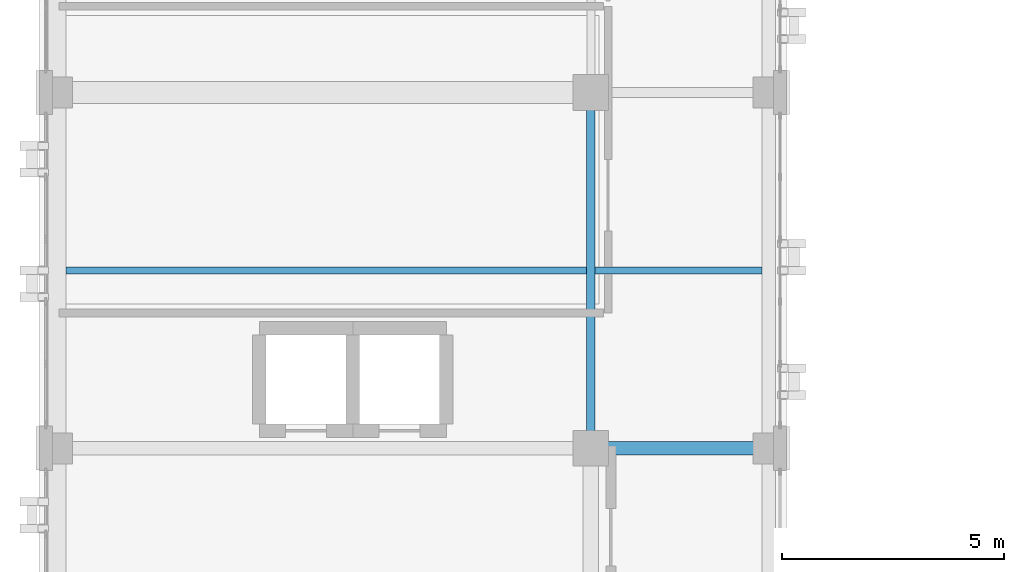
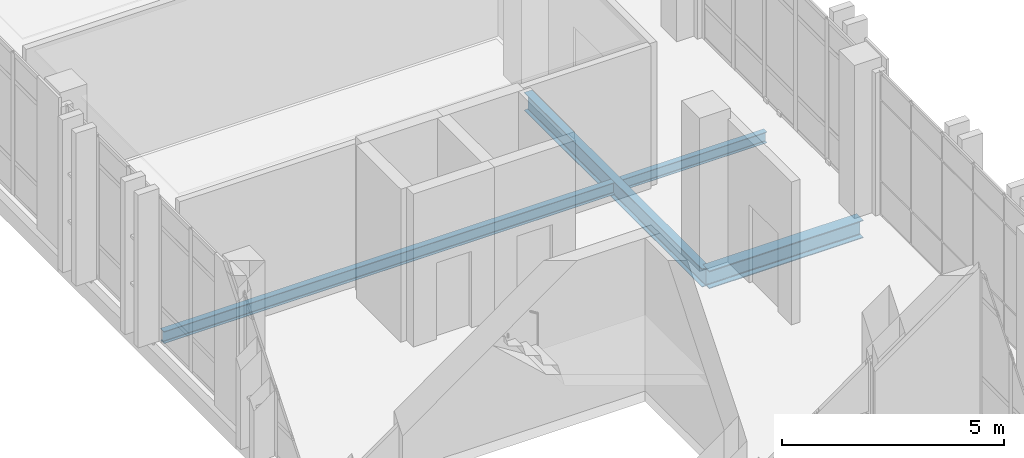
# One storey, part 29 of 165: 4 beams.
"""IFC4 building model written with IfcOpenShell, lengths in metres."""

from ifc_helpers import new_model, si_unit, direction, frame, origin, origin_2d, place, context, subcontext, project, spatial, i_section, extrude, material, material_profile, profile_set, type_object, element, save


model = new_model("IFC4")

# Units and contexts
model_context = context("Model", 3, precision=1e-05, world=origin(), true_north=direction((0.0, 1.0)))
body_context = subcontext(model_context, "Body", "Model", "MODEL_VIEW")
ifc_project = project(units=[si_unit("LENGTHUNIT", "METRE"), si_unit("AREAUNIT", "SQUARE_METRE"), si_unit("VOLUMEUNIT", "CUBIC_METRE"), si_unit("PLANEANGLEUNIT", "RADIAN"), si_unit("MASSUNIT", "GRAM", prefix="KILO")], contexts=[model_context])

# Site, building, storey
site_placement = place(None, origin())
site = spatial("IfcSite", under=ifc_project, at=site_placement, CompositionType="ELEMENT")
building_placement = place(site_placement, origin())
building = spatial("IfcBuilding", under=site, at=building_placement, Name="Qalavern Law Courts", CompositionType="ELEMENT")
storey_placement = place(building_placement, frame((0.0, 0.0, 14.39990234375)))
storey = spatial("IfcBuildingStorey", under=building, at=storey_placement, Name="L03", CompositionType="ELEMENT", Elevation=14.39990234375)

# Beams
ifc_material = material(Name="Steel S355", Category="steel")
ifc_material_profile_1 = material_profile(ifc_material, i_section(OverallWidth=0.300048828125, OverallDepth=0.489990234375, WebThickness=0.011962890625, FlangeThickness=0.02294921875, FilletRadius=0.027099609375, at=origin_2d()), Name="HEA 500")
ifc_profile_set_1 = profile_set([ifc_material_profile_1], Name="Steel S355")
beam_type_1 = type_object("IfcBeamType", Name="STR-BM-HEA500", PredefinedType="BEAM", material=ifc_profile_set_1)
beam_1_placement = place(storey_placement, frame((14.39990234375, 49.39990234375, -0.52978515625), z_axis=(1.0, 0.0, 0.0), x_axis=(0.0, 1.0, 0.0)))
element("IfcBeam", 1, at=beam_1_placement, inside=storey, type_object=beam_type_1, Name="V3 X-beam 2-2 L03", PredefinedType="BEAM", context=body_context, shape_type="SweptSolid", body=[
    extrude(i_section(OverallWidth=0.300048828125, OverallDepth=0.489990234375, WebThickness=0.011962890625, FlangeThickness=0.02294921875, FilletRadius=0.027099609375, at=origin_2d()), origin(), (0.0, 0.0, 1.0), 4.0),
])
ifc_material_profile_2 = material_profile(ifc_material, i_section(OverallWidth=0.199951171875, OverallDepth=0.5, WebThickness=0.01025390625, FlangeThickness=0.01611328125, FilletRadius=0.02099609375, at=origin_2d()), Name="IPE 500")
ifc_profile_set_2 = profile_set([ifc_material_profile_2], Name="Steel S355")
beam_type_2 = type_object("IfcBeamType", Name="STR-BM-IPE500", PredefinedType="BEAM", material=ifc_profile_set_2)
beam_2_placement = place(storey_placement, frame((14.39990234375, 49.39990234375, -0.534912109375), z_axis=(0.0, 1.0, 0.0), x_axis=(-1.0, 0.0, 0.0)))
element("IfcBeam", 2, at=beam_2_placement, inside=storey, type_object=beam_type_2, Name="V3 Y-beam 2-2 L03", PredefinedType="BEAM", context=body_context, shape_type="SweptSolid", body=[
    extrude(i_section(OverallWidth=0.199951171875, OverallDepth=0.5, WebThickness=0.01025390625, FlangeThickness=0.01611328125, FilletRadius=0.02099609375, at=origin_2d()), origin(), (0.0, 0.0, 1.0), 8.0),
])
ifc_material_profile_3 = material_profile(ifc_material, i_section(OverallWidth=0.14990234375, OverallDepth=0.300048828125, WebThickness=0.007080078125, FlangeThickness=0.0107421875, FilletRadius=0.014892578125, at=origin_2d()), Name="IPE 300")
ifc_profile_set_3 = profile_set([ifc_material_profile_3], Name="Steel S355")
beam_type_3 = type_object("IfcBeamType", Name="STR-JST-IPE300", PredefinedType="JOIST", material=ifc_profile_set_3)
beam_3_placement = place(storey_placement, frame((14.498046875, 53.39990234375, -0.434814453125), z_axis=(1.0, 0.0, 0.0), x_axis=(0.0, 1.0, 0.0)))
element("IfcBeam", 3, at=beam_3_placement, inside=storey, type_object=beam_type_3, Name="V3 secondary joist 2.2.1 L03", PredefinedType="JOIST", context=body_context, shape_type="SweptSolid", body=[
    extrude(i_section(OverallWidth=0.14990234375, OverallDepth=0.300048828125, WebThickness=0.007080078125, FlangeThickness=0.0107421875, FilletRadius=0.014892578125, at=origin_2d()), origin(), (0.0, 0.0, 1.0), 3.75390625),
])
ifc_material_profile_4 = material_profile(ifc_material, i_section(OverallWidth=0.159912109375, OverallDepth=0.330078125, WebThickness=0.007568359375, FlangeThickness=0.011474609375, FilletRadius=0.01806640625, at=origin_2d()), Name="IPE 330")
ifc_profile_set_4 = profile_set([ifc_material_profile_4], Name="Steel S355")
beam_type_4 = type_object("IfcBeamType", Name="STR-JST-IPE330", PredefinedType="JOIST", material=ifc_profile_set_4)
beam_4_placement = place(storey_placement, frame((2.597900390625, 53.39990234375, -0.449951171875), z_axis=(1.0, 0.0, 0.0), x_axis=(0.0, 1.0, 0.0)))
element("IfcBeam", 4, at=beam_4_placement, inside=storey, type_object=beam_type_4, Name="V3 secondary joist 1.2.1 L03", PredefinedType="JOIST", context=body_context, shape_type="SweptSolid", body=[
    extrude(i_section(OverallWidth=0.159912109375, OverallDepth=0.330078125, WebThickness=0.007568359375, FlangeThickness=0.011474609375, FilletRadius=0.01806640625, at=origin_2d()), origin(), (0.0, 0.0, 1.0), 11.7041015625),
])

save(model, "model.ifc")
